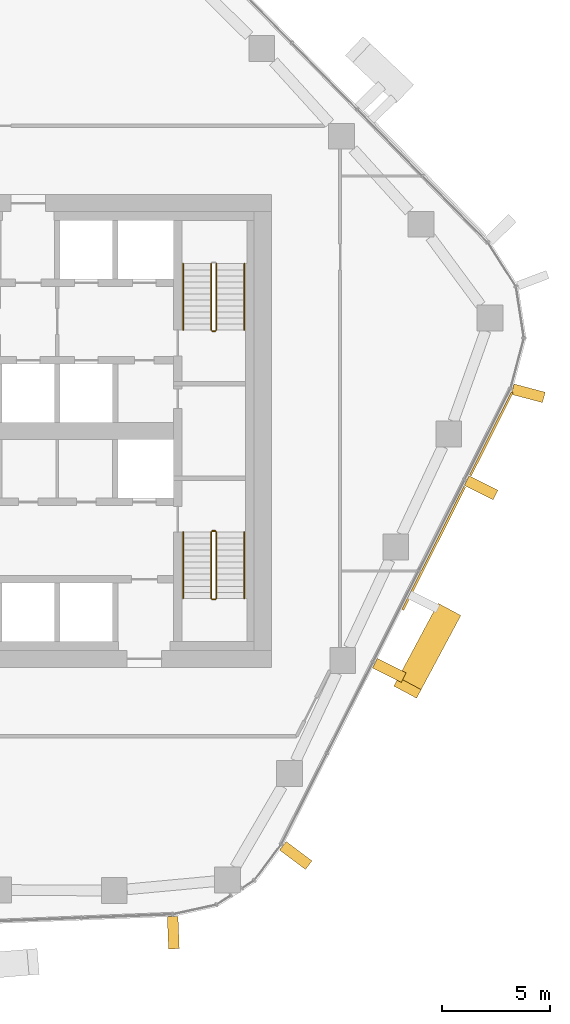
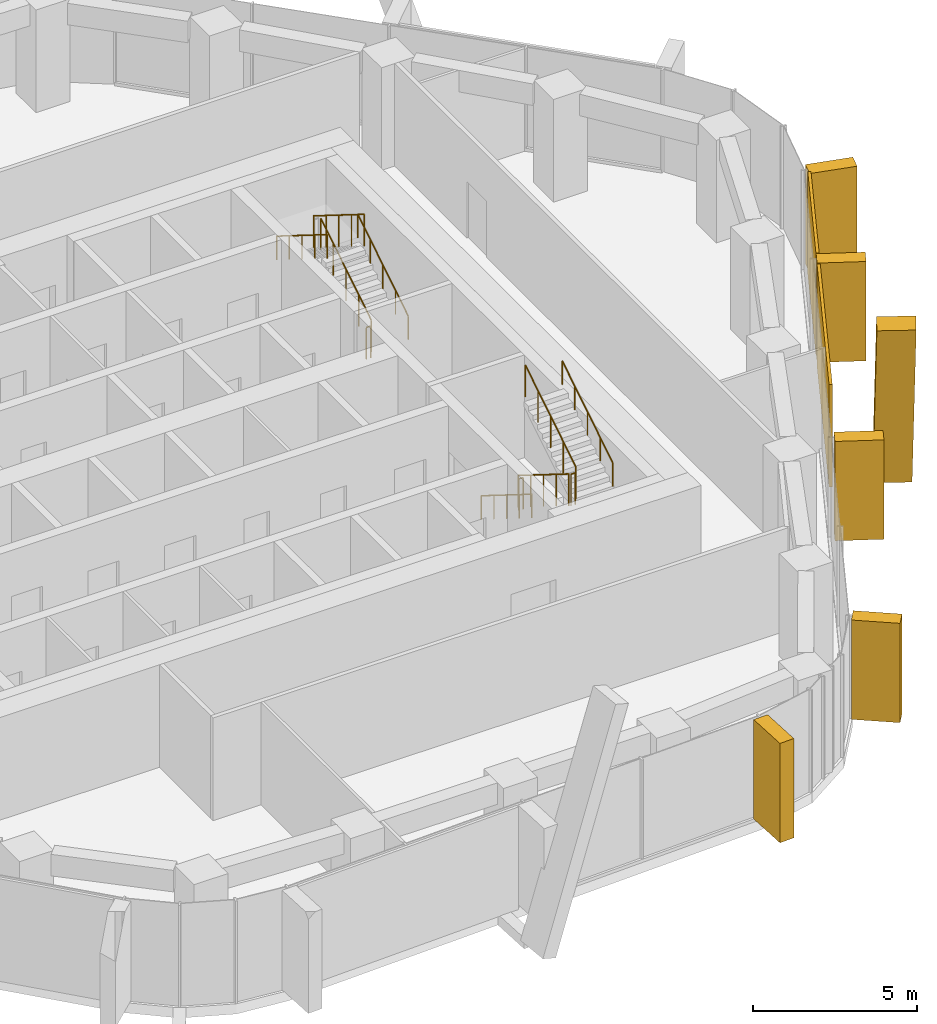
# One storey, part 17 of 19: 11 railings, 8 coverings, 4 elements without a shape of their own.
"""IFC4 building model written with IfcOpenShell, lengths in metres."""

from ifc_helpers import new_model, si_unit, direction, frame, origin, origin_2d, place, context, subcontext, project, spatial, rectangle, circle, extrude, material, layer, layer_set, material_profile, profile_set, type_object, element, aggregate, save


model = new_model("IFC4")

# Units and contexts
model_context = context("Model", 3, precision=1e-05, world=origin(), true_north=direction((0.0, 1.0)))
body_context = subcontext(model_context, "Body", "Model", "MODEL_VIEW")
ifc_project = project(units=[si_unit("LENGTHUNIT", "METRE"), si_unit("AREAUNIT", "SQUARE_METRE"), si_unit("VOLUMEUNIT", "CUBIC_METRE"), si_unit("PLANEANGLEUNIT", "RADIAN"), si_unit("MASSUNIT", "GRAM", prefix="KILO")], contexts=[model_context])

# Site, building, storey
site_placement = place(None, origin())
site = spatial("IfcSite", under=ifc_project, at=site_placement, CompositionType="ELEMENT")
building_placement = place(site_placement, origin())
building = spatial("IfcBuilding", under=site, at=building_placement, Name="Dongbaek Canopy Tower", CompositionType="ELEMENT")
storey_placement = place(building_placement, frame((0.0, 0.0, 207.199951171875)))
storey = spatial("IfcBuildingStorey", under=building, at=storey_placement, Name="L43", CompositionType="ELEMENT", Elevation=207.199951171875)

# Curtain wall, coverings
ifc_material_1 = material(Name="Aluminium 6063-T6 pale anodised", Category="aluminium")
ifc_layer_1 = layer(ifc_material_1, 0.199951171875)
ifc_layer_set_1 = layer_set([ifc_layer_1], Name="CW-1 unitised tower curtain wall")
curtain_wall_type = type_object("IfcCurtainWallType", Name="CW-1 unitised tower curtain wall", PredefinedType="NOTDEFINED", material=ifc_layer_set_1)
curtain_wall_1_placement = place(storey_placement, origin())
curtain_wall_1 = element("IfcCurtainWall", 1, at=curtain_wall_1_placement, inside=storey, type_object=curtain_wall_type, Name="CW-1 curtain wall F5.1", PredefinedType="NOTDEFINED")
ifc_material_2 = material(Name="Aluminium 6063-T6 pale metal fin", Category="aluminium")
ifc_material_profile_1 = material_profile(ifc_material_2, rectangle(XDim=1.199951171875, YDim=0.5, at=origin_2d()), Name="Crease fin CF1 500 x 1200 pale metal")
ifc_profile_set_1 = profile_set([ifc_material_profile_1], Name="Aluminium 6063-T6 pale metal fin")
covering_type_1 = type_object("IfcCoveringType", Name="Crease fin CF1 500 x 1200 pale metal", PredefinedType="CLADDING", material=ifc_profile_set_1)
covering_1_placement = place(storey_placement, frame((22.181884765625, -8.494384765625, -0.18994140625), z_axis=(-0.199202592046, -0.372348926515, 0.906462687729), x_axis=(0.881746019616, -0.471724450174, 0.0)))
covering_1 = element("IfcCovering", 2, at=covering_1_placement, type_object=covering_type_1, Name="Crease fin L43 L45 F5", PredefinedType="CLADDING", context=body_context, shape_type="SweptSolid", body=[
    extrude(rectangle(XDim=1.199951171875, YDim=0.5, at=origin_2d()), origin(), (0.0, 0.0, 1.0), 9.2666015625),
])
ifc_material_3 = material(Name="Perforated aluminium 6063-T6 pale metal screen", Category="aluminium")
ifc_layer_2 = layer(ifc_material_3, 0.10009765625)
ifc_layer_set_2 = layer_set([ifc_layer_2], Name="Facet screen FS1 100 pale metal")
covering_type_2 = type_object("IfcCoveringType", Name="Facet screen FS1 100 pale metal", PredefinedType="CLADDING", material=ifc_layer_set_2)
covering_2_placement = place(storey_placement, frame((21.5576171875, -5.45458984375, 0.0), z_axis=(0.0, 0.0, 1.0), x_axis=(0.449498300694, 0.89328118623, 0.0)))
covering_2 = element("IfcCovering", 3, at=covering_2_placement, type_object=covering_type_2, Name="Facet screen L43 F5", PredefinedType="CLADDING", context=body_context, shape_type="SweptSolid", body=[
    extrude(rectangle(XDim=6.421142578125, YDim=0.10009765625, at=origin_2d()), origin(), (0.0, 0.0, 1.0), 3.820068359375),
])
covering_3_placement = place(storey_placement, frame((24.23583984375, -0.132080078125, 0.0), z_axis=(0.0, 0.0, 1.0), x_axis=(0.449498300694, 0.89328118623, 0.0)))
covering_3 = element("IfcCovering", 4, at=covering_3_placement, type_object=covering_type_2, Name="Facet screen L43 F5", PredefinedType="CLADDING", context=body_context, shape_type="SweptSolid", body=[
    extrude(rectangle(XDim=4.33544921875, YDim=0.10009765625, at=origin_2d()), origin(), (0.0, 0.0, 1.0), 3.820068359375),
])

# Curtain wall, covering
curtain_wall_2_placement = place(storey_placement, origin())
curtain_wall_2 = element("IfcCurtainWall", 5, at=curtain_wall_2_placement, inside=storey, type_object=curtain_wall_type, Name="CW-1 curtain wall K0.1", PredefinedType="NOTDEFINED")
ifc_material_4 = material(Name="Aluminium 6063-T6 pale metal fin", Category="aluminium")
ifc_material_profile_2 = material_profile(ifc_material_4, rectangle(XDim=1.5, YDim=0.5, at=origin_2d()), Name="Fin FN1 500 x 1500 pale metal")
ifc_profile_set_2 = profile_set([ifc_material_profile_2], Name="Aluminium 6063-T6 pale metal fin")
covering_type_3 = type_object("IfcCoveringType", Name="Fin FN1 500 x 1500 pale metal", PredefinedType="CLADDING", material=ifc_profile_set_2)
covering_4_placement = place(storey_placement, frame((25.953125, 1.7548828125, 0.1201171875), z_axis=(0.0, 0.0, 1.0), x_axis=(0.966599210412, -0.256292735815, 0.0)))
covering_4 = element("IfcCovering", 6, at=covering_4_placement, type_object=covering_type_3, Name="Fin K0.1.1", PredefinedType="CLADDING", context=body_context, shape_type="SweptSolid", body=[
    extrude(rectangle(XDim=1.5, YDim=0.5, at=origin_2d()), origin(), (0.0, 0.0, 1.0), 3.699951171875),
])
aggregate(curtain_wall_2, [covering_4])

curtain_wall_3_placement = place(storey_placement, origin())
curtain_wall_3 = element("IfcCurtainWall", 7, at=curtain_wall_3_placement, inside=storey, type_object=curtain_wall_type, Name="CW-1 curtain wall F4.1", PredefinedType="NOTDEFINED")
covering_5_placement = place(storey_placement, frame((9.44384765625, -23.331787109375, 0.1201171875), z_axis=(0.0, 0.0, 1.0), x_axis=(0.039275850271, -0.999228406114, 0.0)))
covering_5 = element("IfcCovering", 8, at=covering_5_placement, type_object=covering_type_3, Name="Fin F4.1.5", PredefinedType="CLADDING", context=body_context, shape_type="SweptSolid", body=[
    extrude(rectangle(XDim=1.5, YDim=0.5, at=origin_2d()), origin(), (0.0, 0.0, 1.0), 3.699951171875),
])
aggregate(curtain_wall_3, [covering_5])

curtain_wall_4_placement = place(storey_placement, origin())
curtain_wall_4 = element("IfcCurtainWall", 9, at=curtain_wall_4_placement, inside=storey, type_object=curtain_wall_type, Name="CW-1 curtain wall K5.1b", PredefinedType="NOTDEFINED")
covering_6_placement = place(storey_placement, frame((15.141845703125, -19.740966796875, 0.1201171875), z_axis=(0.0, 0.0, 1.0), x_axis=(0.799847450352, -0.60020334568, 0.0)))
covering_6 = element("IfcCovering", 10, at=covering_6_placement, type_object=covering_type_3, Name="Fin K5.1b.3", PredefinedType="CLADDING", context=body_context, shape_type="SweptSolid", body=[
    extrude(rectangle(XDim=1.5, YDim=0.5, at=origin_2d()), origin(), (0.0, 0.0, 1.0), 3.699951171875),
])
aggregate(curtain_wall_4, [covering_6])

# Covering
covering_7_placement = place(storey_placement, frame((19.488525390625, -11.13232421875, 0.1201171875), z_axis=(0.0, 0.0, 1.0), x_axis=(0.893280880274, -0.449498908716, 0.0)))
covering_7 = element("IfcCovering", 11, at=covering_7_placement, type_object=covering_type_3, Name="Fin F5.1.3", PredefinedType="CLADDING", context=body_context, shape_type="SweptSolid", body=[
    extrude(rectangle(XDim=1.5, YDim=0.5, at=origin_2d()), origin(), (0.0, 0.0, 1.0), 3.699951171875),
])

covering_8_placement = place(storey_placement, frame((23.760009765625, -2.64404296875, 0.1201171875), z_axis=(0.0, 0.0, 1.0), x_axis=(0.893280880274, -0.449498908716, 0.0)))
covering_8 = element("IfcCovering", 12, at=covering_8_placement, type_object=covering_type_3, Name="Fin F5.1.5", PredefinedType="CLADDING", context=body_context, shape_type="SweptSolid", body=[
    extrude(rectangle(XDim=1.5, YDim=0.5, at=origin_2d()), origin(), (0.0, 0.0, 1.0), 3.699951171875),
])

aggregate(curtain_wall_1, [covering_7, covering_8, covering_1, covering_2, covering_3])

# Railings
ifc_material_5 = material(Name="Stainless steel tube and balusters", Category="steel")
railing_type_1 = type_object("IfcRailingType", Name="Stair guard 1200", PredefinedType="GUARDRAIL", material=ifc_material_5)
railing_1_placement = place(storey_placement, frame((11.449951171875, 4.699951171875, 0.175048828125)))
element("IfcRailing", 13, at=railing_1_placement, inside=storey, type_object=railing_type_1, Name="L43 ST-A stair guard 1", PredefinedType="GUARDRAIL", context=body_context, shape_type="SweptSolid", body=[
    extrude(circle(Radius=0.02392578125, at=origin_2d()), frame((0.0, 0.0, 1.17578125), z_axis=(0.0, 0.847998304005, 0.529998940003), x_axis=(-1.0, 0.0, 0.0)), (0.0, 0.0, 1.0), 3.632080078125),
    extrude(circle(Radius=0.02099609375, at=origin_2d()), origin(), (0.0, 0.0, 1.0), 1.15185546875),
    extrude(circle(Radius=0.02099609375, at=origin_2d()), frame((0.0, 0.77001953125, 0.481201171875)), (0.0, 0.0, 1.0), 1.15185546875),
    extrude(circle(Radius=0.02099609375, at=origin_2d()), frame((0.0, 1.5400390625, 0.96240234375)), (0.0, 0.0, 1.0), 1.15185546875),
    extrude(circle(Radius=0.02099609375, at=origin_2d()), frame((0.0, 2.31005859375, 1.44384765625)), (0.0, 0.0, 1.0), 1.15185546875),
    extrude(circle(Radius=0.02099609375, at=origin_2d()), frame((0.0, 3.080078125, 1.925048828125)), (0.0, 0.0, 1.0), 1.15185546875),
])
railing_2_placement = place(storey_placement, frame((11.199951171875, 7.780029296875, 2.275146484375)))
element("IfcRailing", 14, at=railing_2_placement, inside=storey, type_object=railing_type_1, Name="L43 ST-A stair guard 3", PredefinedType="GUARDRAIL", context=body_context, shape_type="SweptSolid", body=[
    extrude(circle(Radius=0.02392578125, at=origin_2d()), frame((0.0, 0.0, 1.17578125), z_axis=(0.0, -0.848028513186, 0.529950602248), x_axis=(1.0, 0.0, 0.0)), (0.0, 0.0, 1.0), 3.632080078125),
    extrude(circle(Radius=0.02099609375, at=origin_2d()), origin(), (0.0, 0.0, 1.0), 1.15185546875),
    extrude(circle(Radius=0.02099609375, at=origin_2d()), frame((0.0, -0.77001953125, 0.481201171875)), (0.0, 0.0, 1.0), 1.15185546875),
    extrude(circle(Radius=0.02099609375, at=origin_2d()), frame((0.0, -1.5400390625, 0.96240234375)), (0.0, 0.0, 1.0), 1.15185546875),
    extrude(circle(Radius=0.02099609375, at=origin_2d()), frame((0.0, -2.31005859375, 1.443603515625)), (0.0, 0.0, 1.0), 1.15185546875),
    extrude(circle(Radius=0.02099609375, at=origin_2d()), frame((0.0, -3.080078125, 1.9248046875)), (0.0, 0.0, 1.0), 1.15185546875),
])
railing_3_placement = place(storey_placement, frame((11.39990234375, 4.64990234375, 0.0)))
element("IfcRailing", 15, at=railing_3_placement, inside=storey, type_object=railing_type_1, Name="L43 ST-A stair guard 4", PredefinedType="GUARDRAIL", context=body_context, shape_type="SweptSolid", body=[
    extrude(circle(Radius=0.02392578125, at=origin_2d()), frame((0.0, 0.0, 1.17578125), z_axis=(-1.0, 0.0, 0.0), x_axis=(0.0, -1.0, 0.0)), (0.0, 0.0, 1.0), 0.14990234375),
    extrude(circle(Radius=0.02099609375, at=origin_2d()), origin(), (0.0, 0.0, 1.0), 1.15185546875),
    extrude(circle(Radius=0.02099609375, at=origin_2d()), frame((-0.14990234375, 0.0, 0.0)), (0.0, 0.0, 1.0), 1.15185546875),
])
railing_4_placement = place(storey_placement, frame((11.199951171875, -4.699951171875, 0.175048828125)))
element("IfcRailing", 16, at=railing_4_placement, inside=storey, type_object=railing_type_1, Name="L43 ST-B stair guard 1", PredefinedType="GUARDRAIL", context=body_context, shape_type="SweptSolid", body=[
    extrude(circle(Radius=0.02392578125, at=origin_2d()), frame((0.0, 0.0, 1.17578125), z_axis=(0.0, -0.847998304005, 0.529998940003), x_axis=(1.0, 0.0, 0.0)), (0.0, 0.0, 1.0), 3.632080078125),
    extrude(circle(Radius=0.02099609375, at=origin_2d()), origin(), (0.0, 0.0, 1.0), 1.15185546875),
    extrude(circle(Radius=0.02099609375, at=origin_2d()), frame((0.0, -0.77001953125, 0.481201171875)), (0.0, 0.0, 1.0), 1.15185546875),
    extrude(circle(Radius=0.02099609375, at=origin_2d()), frame((0.0, -1.5400390625, 0.96240234375)), (0.0, 0.0, 1.0), 1.15185546875),
    extrude(circle(Radius=0.02099609375, at=origin_2d()), frame((0.0, -2.31005859375, 1.44384765625)), (0.0, 0.0, 1.0), 1.15185546875),
    extrude(circle(Radius=0.02099609375, at=origin_2d()), frame((0.0, -3.080078125, 1.925048828125)), (0.0, 0.0, 1.0), 1.15185546875),
])
railing_5_placement = place(storey_placement, frame((11.25, -7.830078125, 2.10009765625)))
element("IfcRailing", 17, at=railing_5_placement, inside=storey, type_object=railing_type_1, Name="L43 ST-B stair guard 2", PredefinedType="GUARDRAIL", context=body_context, shape_type="SweptSolid", body=[
    extrude(circle(Radius=0.02392578125, at=origin_2d()), frame((0.0, 0.0, 1.17578125), z_axis=(1.0, 0.0, 0.0), x_axis=(0.0, 1.0, 0.0)), (0.0, 0.0, 1.0), 0.14990234375),
    extrude(circle(Radius=0.02099609375, at=origin_2d()), origin(), (0.0, 0.0, 1.0), 1.15185546875),
    extrude(circle(Radius=0.02099609375, at=origin_2d()), frame((0.14990234375, 0.0, 0.0)), (0.0, 0.0, 1.0), 1.15185546875),
])
railing_6_placement = place(storey_placement, frame((11.449951171875, -7.780029296875, 2.275146484375)))
element("IfcRailing", 18, at=railing_6_placement, inside=storey, type_object=railing_type_1, Name="L43 ST-B stair guard 3", PredefinedType="GUARDRAIL", context=body_context, shape_type="SweptSolid", body=[
    extrude(circle(Radius=0.02392578125, at=origin_2d()), frame((0.0, 0.0, 1.17578125), z_axis=(0.0, 0.848028513186, 0.529950602248), x_axis=(-1.0, 0.0, 0.0)), (0.0, 0.0, 1.0), 3.632080078125),
    extrude(circle(Radius=0.02099609375, at=origin_2d()), origin(), (0.0, 0.0, 1.0), 1.15185546875),
    extrude(circle(Radius=0.02099609375, at=origin_2d()), frame((0.0, 0.77001953125, 0.481201171875)), (0.0, 0.0, 1.0), 1.15185546875),
    extrude(circle(Radius=0.02099609375, at=origin_2d()), frame((0.0, 1.5400390625, 0.96240234375)), (0.0, 0.0, 1.0), 1.15185546875),
    extrude(circle(Radius=0.02099609375, at=origin_2d()), frame((0.0, 2.31005859375, 1.443603515625)), (0.0, 0.0, 1.0), 1.15185546875),
    extrude(circle(Radius=0.02099609375, at=origin_2d()), frame((0.0, 3.080078125, 1.9248046875)), (0.0, 0.0, 1.0), 1.15185546875),
])
railing_7_placement = place(storey_placement, frame((11.25, -4.64990234375, 0.0)))
element("IfcRailing", 19, at=railing_7_placement, inside=storey, type_object=railing_type_1, Name="L43 ST-B stair guard 4", PredefinedType="GUARDRAIL", context=body_context, shape_type="SweptSolid", body=[
    extrude(circle(Radius=0.02392578125, at=origin_2d()), frame((0.0, 0.0, 1.17578125), z_axis=(1.0, 0.0, 0.0), x_axis=(0.0, 1.0, 0.0)), (0.0, 0.0, 1.0), 0.14990234375),
    extrude(circle(Radius=0.02099609375, at=origin_2d()), origin(), (0.0, 0.0, 1.0), 1.15185546875),
    extrude(circle(Radius=0.02099609375, at=origin_2d()), frame((0.14990234375, 0.0, 0.0)), (0.0, 0.0, 1.0), 1.15185546875),
])
ifc_material_6 = material(Name="Stainless steel tube", Category="steel")
railing_type_2 = type_object("IfcRailingType", Name="Stair handrail 900", PredefinedType="HANDRAIL", material=ifc_material_6)
railing_8_placement = place(storey_placement, frame((12.75, 4.699951171875, 0.175048828125)))
element("IfcRailing", 20, at=railing_8_placement, inside=storey, type_object=railing_type_2, Name="L43 ST-A stair handrail 1", PredefinedType="HANDRAIL", context=body_context, shape_type="SweptSolid", body=[
    extrude(circle(Radius=0.02392578125, at=origin_2d()), frame((0.0, 0.0, 0.8759765625), z_axis=(0.0, 0.847998304005, 0.529998940003), x_axis=(-1.0, 0.0, 0.0)), (0.0, 0.0, 1.0), 3.632080078125),
    extrude(circle(Radius=0.02099609375, at=origin_2d()), origin(), (0.0, 0.0, 1.0), 0.851806640625),
    extrude(circle(Radius=0.02099609375, at=origin_2d()), frame((0.0, 0.77001953125, 0.481201171875)), (0.0, 0.0, 1.0), 0.851806640625),
    extrude(circle(Radius=0.02099609375, at=origin_2d()), frame((0.0, 1.5400390625, 0.96240234375)), (0.0, 0.0, 1.0), 0.851806640625),
    extrude(circle(Radius=0.02099609375, at=origin_2d()), frame((0.0, 2.31005859375, 1.44384765625)), (0.0, 0.0, 1.0), 0.851806640625),
    extrude(circle(Radius=0.02099609375, at=origin_2d()), frame((0.0, 3.080078125, 1.925048828125)), (0.0, 0.0, 1.0), 0.851806640625),
])
railing_9_placement = place(storey_placement, frame((9.89990234375, 7.780029296875, 2.275146484375)))
element("IfcRailing", 21, at=railing_9_placement, inside=storey, type_object=railing_type_2, Name="L43 ST-A stair handrail 2", PredefinedType="HANDRAIL", context=body_context, shape_type="SweptSolid", body=[
    extrude(circle(Radius=0.02392578125, at=origin_2d()), frame((0.0, 0.0, 0.8759765625), z_axis=(0.0, -0.848028513186, 0.529950602248), x_axis=(1.0, 0.0, 0.0)), (0.0, 0.0, 1.0), 3.632080078125),
    extrude(circle(Radius=0.02099609375, at=origin_2d()), origin(), (0.0, 0.0, 1.0), 0.851806640625),
    extrude(circle(Radius=0.02099609375, at=origin_2d()), frame((0.0, -0.77001953125, 0.481201171875)), (0.0, 0.0, 1.0), 0.851806640625),
    extrude(circle(Radius=0.02099609375, at=origin_2d()), frame((0.0, -1.5400390625, 0.96240234375)), (0.0, 0.0, 1.0), 0.851806640625),
    extrude(circle(Radius=0.02099609375, at=origin_2d()), frame((0.0, -2.31005859375, 1.443603515625)), (0.0, 0.0, 1.0), 0.851806640625),
    extrude(circle(Radius=0.02099609375, at=origin_2d()), frame((0.0, -3.080078125, 1.9248046875)), (0.0, 0.0, 1.0), 0.851806640625),
])
railing_10_placement = place(storey_placement, frame((9.89990234375, -4.699951171875, 0.175048828125)))
element("IfcRailing", 22, at=railing_10_placement, inside=storey, type_object=railing_type_2, Name="L43 ST-B stair handrail 1", PredefinedType="HANDRAIL", context=body_context, shape_type="SweptSolid", body=[
    extrude(circle(Radius=0.02392578125, at=origin_2d()), frame((0.0, 0.0, 0.8759765625), z_axis=(0.0, -0.847998304005, 0.529998940003), x_axis=(1.0, 0.0, 0.0)), (0.0, 0.0, 1.0), 3.632080078125),
    extrude(circle(Radius=0.02099609375, at=origin_2d()), origin(), (0.0, 0.0, 1.0), 0.851806640625),
    extrude(circle(Radius=0.02099609375, at=origin_2d()), frame((0.0, -0.77001953125, 0.481201171875)), (0.0, 0.0, 1.0), 0.851806640625),
    extrude(circle(Radius=0.02099609375, at=origin_2d()), frame((0.0, -1.5400390625, 0.96240234375)), (0.0, 0.0, 1.0), 0.851806640625),
    extrude(circle(Radius=0.02099609375, at=origin_2d()), frame((0.0, -2.31005859375, 1.44384765625)), (0.0, 0.0, 1.0), 0.851806640625),
    extrude(circle(Radius=0.02099609375, at=origin_2d()), frame((0.0, -3.080078125, 1.925048828125)), (0.0, 0.0, 1.0), 0.851806640625),
])
railing_11_placement = place(storey_placement, frame((12.75, -7.780029296875, 2.275146484375)))
element("IfcRailing", 23, at=railing_11_placement, inside=storey, type_object=railing_type_2, Name="L43 ST-B stair handrail 2", PredefinedType="HANDRAIL", context=body_context, shape_type="SweptSolid", body=[
    extrude(circle(Radius=0.02392578125, at=origin_2d()), frame((0.0, 0.0, 0.8759765625), z_axis=(0.0, 0.848028513186, 0.529950602248), x_axis=(-1.0, 0.0, 0.0)), (0.0, 0.0, 1.0), 3.632080078125),
    extrude(circle(Radius=0.02099609375, at=origin_2d()), origin(), (0.0, 0.0, 1.0), 0.851806640625),
    extrude(circle(Radius=0.02099609375, at=origin_2d()), frame((0.0, 0.77001953125, 0.481201171875)), (0.0, 0.0, 1.0), 0.851806640625),
    extrude(circle(Radius=0.02099609375, at=origin_2d()), frame((0.0, 1.5400390625, 0.96240234375)), (0.0, 0.0, 1.0), 0.851806640625),
    extrude(circle(Radius=0.02099609375, at=origin_2d()), frame((0.0, 2.31005859375, 1.443603515625)), (0.0, 0.0, 1.0), 0.851806640625),
    extrude(circle(Radius=0.02099609375, at=origin_2d()), frame((0.0, 3.080078125, 1.9248046875)), (0.0, 0.0, 1.0), 0.851806640625),
])

save(model, "model.ifc")
